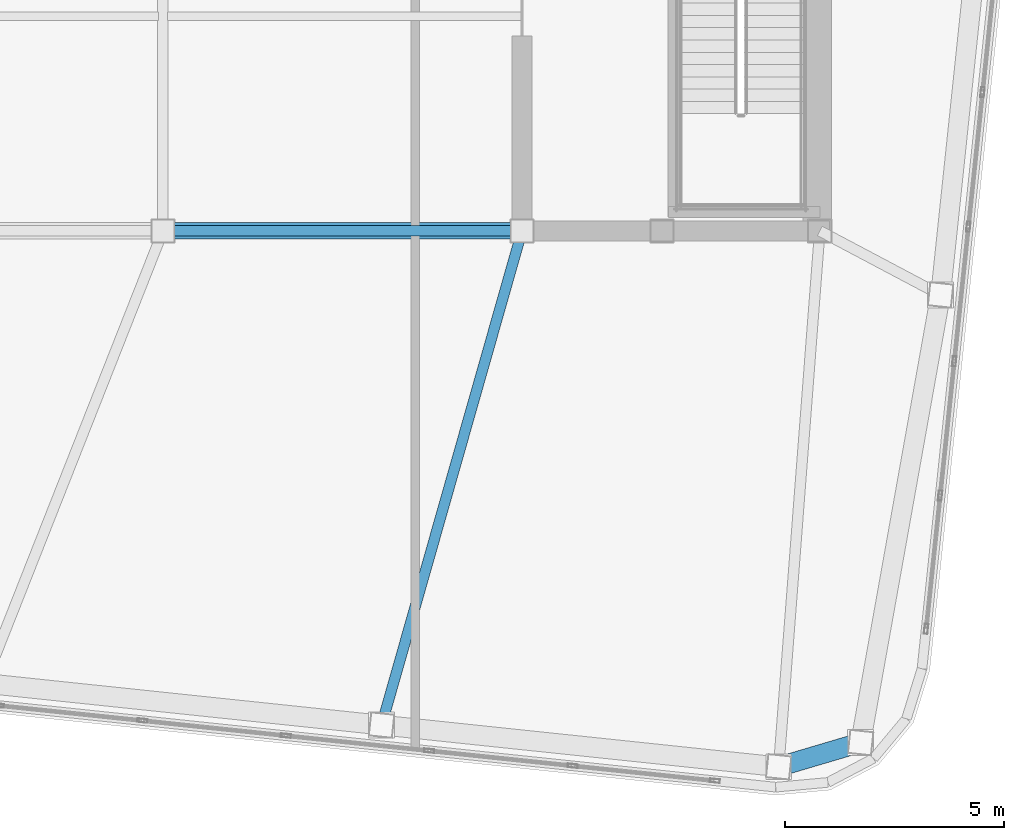
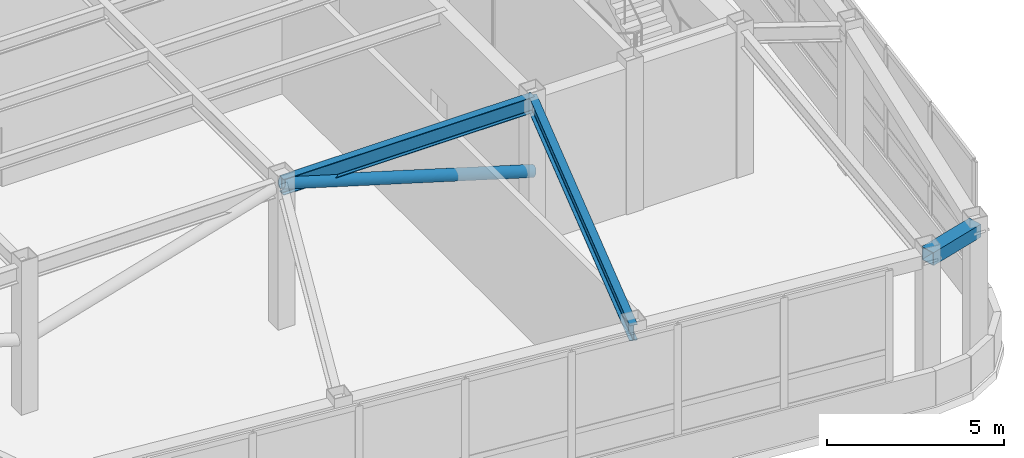
# One storey, part 10 of 23: 3 beams, 1 member.
"""IFC4 building model written with IfcOpenShell, lengths in metres."""

from ifc_helpers import new_model, si_unit, direction, frame, origin, origin_2d, place, context, subcontext, project, spatial, hollow_rectangle, hollow_circle, i_section, extrude, material, material_profile, profile_set, type_object, element, save


model = new_model("IFC4")

# Units and contexts
model_context = context("Model", 3, precision=1e-05, world=origin(), true_north=direction((0.0, 1.0)))
body_context = subcontext(model_context, "Body", "Model", "MODEL_VIEW")
ifc_project = project(units=[si_unit("LENGTHUNIT", "METRE"), si_unit("AREAUNIT", "SQUARE_METRE"), si_unit("VOLUMEUNIT", "CUBIC_METRE"), si_unit("PLANEANGLEUNIT", "RADIAN"), si_unit("MASSUNIT", "GRAM", prefix="KILO")], contexts=[model_context])

# Site, building, storey
site_placement = place(None, origin())
site = spatial("IfcSite", under=ifc_project, at=site_placement, CompositionType="ELEMENT")
building_placement = place(site_placement, origin())
building = spatial("IfcBuilding", under=site, at=building_placement, Name="Voryun Gate Residences", CompositionType="ELEMENT")
storey_placement = place(building_placement, frame((0.0, 0.0, 321.300048828125)))
storey = spatial("IfcBuildingStorey", under=building, at=storey_placement, Name="L79", CompositionType="ELEMENT", Elevation=321.300048828125)

# Beams
ifc_material_1 = material(Name="Steel SM355", Category="steel")
ifc_material_profile_1 = material_profile(ifc_material_1, hollow_rectangle(XDim=0.449951171875, YDim=0.449951171875, WallThickness=0.01806640625, at=origin_2d()), Name="BOX-450x450x18")
ifc_profile_set_1 = profile_set([ifc_material_profile_1], Name="Steel SM355")
beam_type_1 = type_object("IfcBeamType", Name="BM_CROWN_RING", PredefinedType="BEAM", material=ifc_profile_set_1)
beam_1_placement = place(storey_placement, frame((18.261474609375, -19.63818359375, 4.800048828125), z_axis=(0.958835963288, 0.283960552728, 0.0), x_axis=(-0.283960552728, 0.958835963288, 0.0)))
element("IfcBeam", 1, at=beam_1_placement, inside=storey, type_object=beam_type_1, Name="BM-L79-SPAND-06", PredefinedType="BEAM", context=body_context, shape_type="SweptSolid", body=[
    extrude(hollow_rectangle(XDim=0.449951171875, YDim=0.449951171875, WallThickness=0.01806640625, at=origin_2d()), origin(), (0.0, 0.0, 1.0), 1.95166015625),
])
ifc_material_2 = material(Name="Steel SM355", Category="steel")
ifc_material_profile_2 = material_profile(ifc_material_2, i_section(OverallWidth=0.239990234375, OverallDepth=0.550048828125, WebThickness=0.011962890625, FlangeThickness=0.02001953125, FilletRadius=0.01806640625, at=origin_2d()), Name="H-550x240x12x20")
ifc_profile_set_2 = profile_set([ifc_material_profile_2], Name="Steel SM355")
beam_type_2 = type_object("IfcBeamType", Name="BM_GIRD_550", PredefinedType="USERDEFINED", material=ifc_profile_set_2)
beam_2_placement = place(storey_placement, frame((4.199951171875, -7.39990234375, 4.75), z_axis=(1.0, 0.0, 0.0), x_axis=(0.0, 1.0, 0.0)))
element("IfcBeam", 2, at=beam_2_placement, inside=storey, type_object=beam_type_2, Name="BM-L79-SPG3-S", ObjectType="GIRDER", PredefinedType="USERDEFINED", context=body_context, shape_type="SweptSolid", body=[
    extrude(i_section(OverallWidth=0.239990234375, OverallDepth=0.550048828125, WebThickness=0.011962890625, FlangeThickness=0.02001953125, FilletRadius=0.01806640625, at=origin_2d()), origin(), (0.0, 0.0, 1.0), 8.199951171875),
])
beam_3_placement = place(storey_placement, frame((12.39990234375, -7.39990234375, 4.75), z_axis=(-0.273478609988, -0.961878084727, 0.0), x_axis=(0.961878084727, -0.273478609988, 0.0)))
element("IfcBeam", 3, at=beam_3_placement, inside=storey, type_object=beam_type_2, Name="BM-L79-RAD-S5", ObjectType="GIRDER", PredefinedType="USERDEFINED", context=body_context, shape_type="SweptSolid", body=[
    extrude(i_section(OverallWidth=0.239990234375, OverallDepth=0.550048828125, WebThickness=0.011962890625, FlangeThickness=0.02001953125, FilletRadius=0.01806640625, at=origin_2d()), origin(), (0.0, 0.0, 1.0), 11.732177734375),
])

# Member
ifc_material_3 = material(Name="Steel SM355", Category="steel")
ifc_material_profile_3 = material_profile(ifc_material_3, hollow_circle(Radius=0.18994140625, WallThickness=0.01806640625, at=origin_2d()), Name="CHS-380x18")
ifc_profile_set_3 = profile_set([ifc_material_profile_3], Name="Steel SM355")
member_type = type_object("IfcMemberType", Name="MBR_CROWN_DIAGRID", PredefinedType="BRACE", material=ifc_profile_set_3)
member_placement = place(storey_placement, frame((12.39990234375, -7.39990234375, 2.3798828125), z_axis=(-0.957662114733, 0.0, 0.287894553621), x_axis=(0.0, -1.0, 0.0)))
element("IfcMember", 4, at=member_placement, inside=storey, type_object=member_type, Name="L79 Lantern Spine Diagrid Brace 03", PredefinedType="BRACE", context=body_context, shape_type="SweptSolid", body=[
    extrude(hollow_circle(Radius=0.18994140625, WallThickness=0.01806640625, at=origin_2d()), origin(), (0.0, 0.0, 1.0), 8.5625),
])

save(model, "model.ifc")
